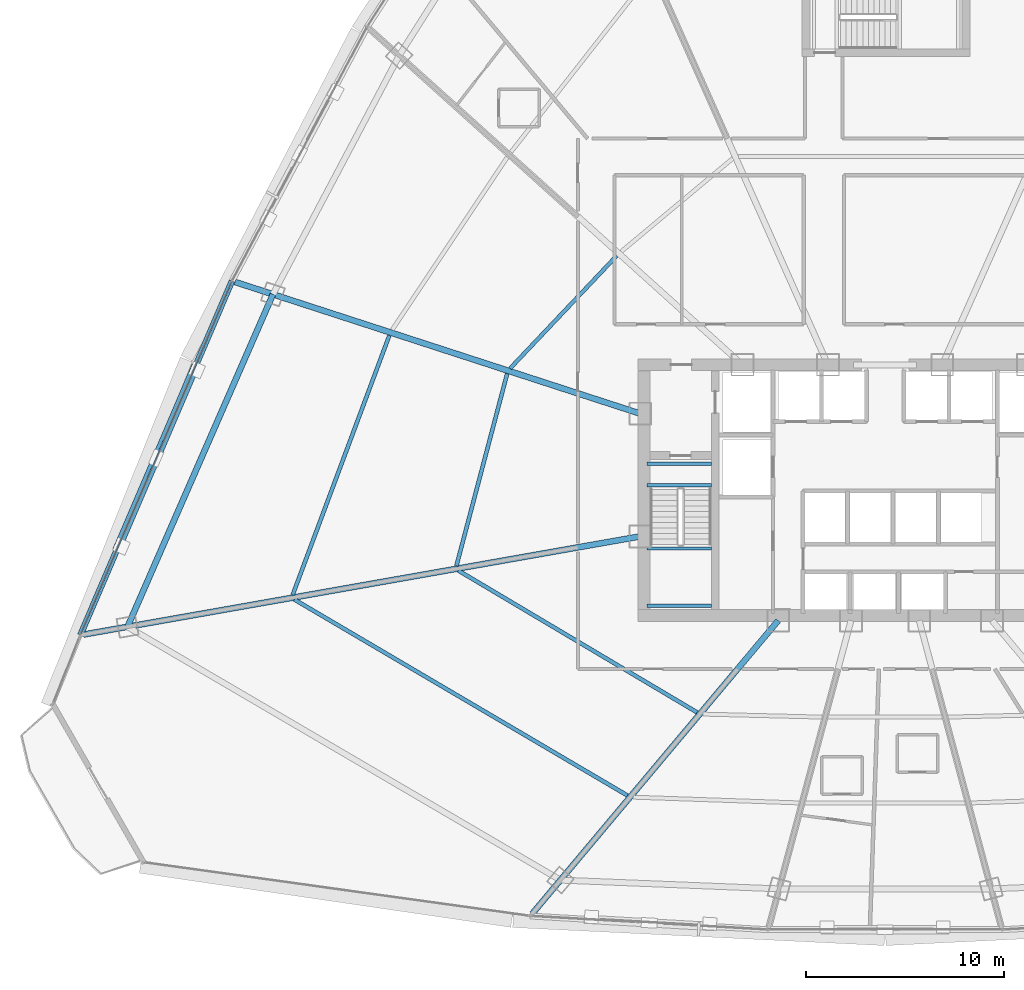
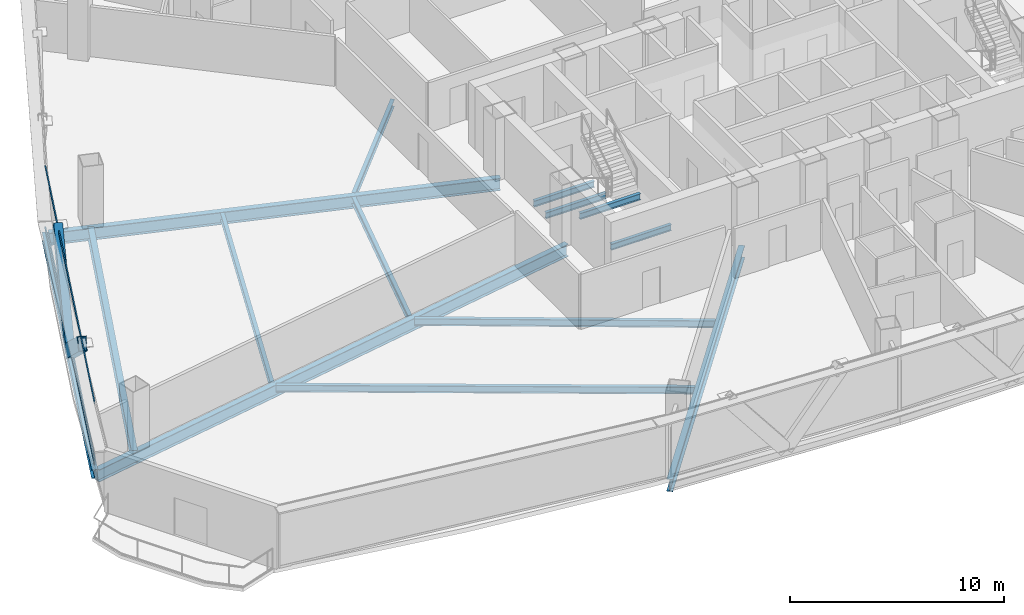
# One storey, part 7 of 37: 14 beams, 4 members, 1 element without a shape of its own.
"""IFC4 building model written with IfcOpenShell, lengths in metres."""

from ifc_helpers import new_model, si_unit, direction, frame, origin, origin_2d, place, context, subcontext, project, spatial, hollow_rectangle, i_section, extrude, source, transform, mapped, material, layer, layer_set, material_profile, profile_set, type_object, element, aggregate, save


model = new_model("IFC4")

# Units and contexts
model_context = context("Model", 3, precision=1e-05, world=origin(), true_north=direction((0.0, 1.0)))
body_context = subcontext(model_context, "Body", "Model", "MODEL_VIEW")
ifc_project = project(units=[si_unit("LENGTHUNIT", "METRE"), si_unit("AREAUNIT", "SQUARE_METRE"), si_unit("VOLUMEUNIT", "CUBIC_METRE"), si_unit("PLANEANGLEUNIT", "RADIAN"), si_unit("MASSUNIT", "GRAM", prefix="KILO"), si_unit("THERMODYNAMICTEMPERATUREUNIT", "KELVIN"), si_unit("POWERUNIT", "WATT")], contexts=[model_context])

# Site, building, storey
site_placement = place(None, origin())
site = spatial("IfcSite", under=ifc_project, at=site_placement, CompositionType="ELEMENT")
building_placement = place(site_placement, origin())
building = spatial("IfcBuilding", under=site, at=building_placement, Name="Yunzhuo Pagoda Commons", CompositionType="ELEMENT")
storey_placement = place(building_placement, frame((0.0, 0.0, 88.780029296875)))
storey = spatial("IfcBuildingStorey", under=building, at=storey_placement, Name="L22", CompositionType="ELEMENT", Elevation=88.780029296875)

# Beams
ifc_material_1 = material(Name="Structural steel Q355B", Category="steel")
ifc_material_profile_1 = material_profile(ifc_material_1, i_section(OverallWidth=0.175048828125, OverallDepth=0.35009765625, WebThickness=0.007080078125, FlangeThickness=0.010986328125, at=origin_2d()), Name="Structural steel Q355B")
ifc_profile_set_1 = profile_set([ifc_material_profile_1], Name="Structural steel Q355B")
beam_type_1 = type_object("IfcBeamType", Name="B-JS2 Joist HN 350x175x7x11", PredefinedType="JOIST", material=ifc_profile_set_1)
shared_shape_1 = source(origin(), body_context, "Body", "SweptSolid", [
    extrude(i_section(OverallWidth=0.175048828125, OverallDepth=0.35009765625, WebThickness=0.007080078125, FlangeThickness=0.010986328125, at=origin_2d()), origin(), (0.0, 0.0, 1.0), 3.25),
])
for number, where, z_axis, x_axis, name in (
    (1, (35.949951171875, 28.0, 1.52490234375), (1.0, 0.0, 0.0), (0.0, 1.0, 0.0), "L22 ST1 landing support beam 28A"),
    (2, (35.949951171875, 30.89990234375, 1.52490234375), (1.0, 0.0, 0.0), (0.0, 1.0, 0.0), "L22 ST1 landing support beam 28B"),
    (3, (35.949951171875, 34.10009765625, -0.375), (1.0, 0.0, 0.0), (0.0, 1.0, 0.0), "L22 ST1 landing support beam 126A"),
    (4, (35.949951171875, 35.199951171875, -0.375), (1.0, 0.0, 0.0), (0.0, 1.0, 0.0), "L22 ST1 landing support beam 126B"),
):
    element("IfcBeam", number, at=place(storey_placement, frame(where, z_axis=z_axis, x_axis=x_axis)), inside=storey, type_object=beam_type_1, Name=name, PredefinedType="JOIST", context=body_context, shape_type="MappedRepresentation", body=[
        mapped(shared_shape_1, transform((0.0, 0.0, 0.0), scale=1.0)),
    ])
ifc_material_profile_2 = material_profile(ifc_material_1, i_section(OverallWidth=0.300048828125, OverallDepth=0.488037109375, WebThickness=0.010986328125, FlangeThickness=0.01806640625, at=origin_2d()), Name="Structural steel Q355B")
ifc_profile_set_2 = profile_set([ifc_material_profile_2], Name="Structural steel Q355B")
beam_type_2 = type_object("IfcBeamType", Name="B-SP1 Beam HM 488x300x11x18", PredefinedType="BEAM", material=ifc_profile_set_2)
shared_shape_2 = source(origin(), body_context, "Body", "SweptSolid", [
    extrude(i_section(OverallWidth=0.300048828125, OverallDepth=0.488037109375, WebThickness=0.010986328125, FlangeThickness=0.01806640625, at=origin_2d()), origin(), (0.0, 0.0, 1.0), 19.5029296875),
])
beam_1_placement = place(storey_placement, frame((14.93505859375, 44.44384765625, -0.504150390625), z_axis=(-0.393683598901, -0.919246008398, 0.0), x_axis=(0.919246008398, -0.393683598901, 0.0)))
element("IfcBeam", 5, at=beam_1_placement, inside=storey, type_object=beam_type_2, Name="L22 facade edge spandrel beam F3.3", PredefinedType="BEAM", context=body_context, shape_type="MappedRepresentation", body=[
    mapped(shared_shape_2, transform((0.0, 0.0, 0.0), scale=1.0)),
])
ifc_material_profile_3 = material_profile(ifc_material_1, i_section(OverallWidth=0.300048828125, OverallDepth=0.699951171875, WebThickness=0.012939453125, FlangeThickness=0.02392578125, at=origin_2d()), Name="Structural steel Q355B")
ifc_profile_set_3 = profile_set([ifc_material_profile_3], Name="Structural steel Q355B")
beam_type_3 = type_object("IfcBeamType", Name="B-RG1 Beam HN 700x300x13x24", PredefinedType="BEAM", material=ifc_profile_set_3)
shared_shape_3 = source(origin(), body_context, "Body", "SweptSolid", [
    extrude(i_section(OverallWidth=0.300048828125, OverallDepth=0.699951171875, WebThickness=0.012939453125, FlangeThickness=0.02392578125, at=origin_2d()), origin(), (0.0, 0.0, 1.0), 18.37158203125),
])
beam_2_placement = place(storey_placement, frame((17.00927734375, 43.76953125, -0.610107421875), z_axis=(-0.400729599795, -0.916196369698, 0.0), x_axis=(0.916196369698, -0.400729599795, 0.0)))
element("IfcBeam", 6, at=beam_2_placement, inside=storey, type_object=beam_type_3, Name="L22 column-ring beam 11", PredefinedType="BEAM", context=body_context, shape_type="MappedRepresentation", body=[
    mapped(shared_shape_3, transform((0.0, 0.0, 0.0), scale=1.0)),
])
shared_shape_4 = source(origin(), body_context, "Body", "SweptSolid", [
    extrude(i_section(OverallWidth=0.300048828125, OverallDepth=0.699951171875, WebThickness=0.012939453125, FlangeThickness=0.02392578125, at=origin_2d()), origin(), (0.0, 0.0, 1.0), 19.369140625),
])
beam_3_placement = place(storey_placement, frame((30.137451171875, 12.41259765625, -0.610107421875), z_axis=(0.642799141194, 0.766034766887, 0.0), x_axis=(-0.766034766887, 0.642799141194, 0.0)))
element("IfcBeam", 7, at=beam_3_placement, inside=storey, type_object=beam_type_3, Name="L22 radial floor girder F1C1", PredefinedType="BEAM", context=body_context, shape_type="MappedRepresentation", body=[
    mapped(shared_shape_4, transform((0.0, 0.0, 0.0), scale=1.0)),
])
shared_shape_5 = source(origin(), body_context, "Body", "SweptSolid", [
    extrude(i_section(OverallWidth=0.300048828125, OverallDepth=0.699951171875, WebThickness=0.012939453125, FlangeThickness=0.02392578125, at=origin_2d()), origin(), (0.0, 0.0, 1.0), 28.625),
])
beam_4_placement = place(storey_placement, frame((7.409912109375, 26.54296875, -0.610107421875), z_axis=(0.984809134913, 0.173640340337, 0.0), x_axis=(-0.173640340337, 0.984809134913, 0.0)))
element("IfcBeam", 8, at=beam_4_placement, inside=storey, type_object=beam_type_3, Name="L22 radial floor girder F3C4", PredefinedType="BEAM", context=body_context, shape_type="MappedRepresentation", body=[
    mapped(shared_shape_5, transform((0.0, 0.0, 0.0), scale=1.0)),
])
shared_shape_6 = source(origin(), body_context, "Body", "SweptSolid", [
    extrude(i_section(OverallWidth=0.300048828125, OverallDepth=0.699951171875, WebThickness=0.012939453125, FlangeThickness=0.02392578125, at=origin_2d()), origin(), (0.0, 0.0, 1.0), 21.57373046875),
])
beam_5_placement = place(storey_placement, frame((15.082275390625, 44.3955078125, -0.610107421875), z_axis=(0.951058432611, -0.309011096499, 0.0), x_axis=(0.309011096499, 0.951058432611, 0.0)))
element("IfcBeam", 9, at=beam_5_placement, inside=storey, type_object=beam_type_3, Name="L22 radial floor girder F3C3", PredefinedType="BEAM", context=body_context, shape_type="MappedRepresentation", body=[
    mapped(shared_shape_6, transform((0.0, 0.0, 0.0), scale=1.0)),
])
ifc_material_profile_4 = material_profile(ifc_material_1, i_section(OverallWidth=0.199951171875, OverallDepth=0.39990234375, WebThickness=0.008056640625, FlangeThickness=0.012939453125, at=origin_2d()), Name="Structural steel Q355B")
ifc_profile_set_4 = profile_set([ifc_material_profile_4], Name="Structural steel Q355B")
beam_type_4 = type_object("IfcBeamType", Name="B-JS1 Joist HN 400x200x8x13", PredefinedType="JOIST", material=ifc_profile_set_4)
shared_shape_7 = source(origin(), body_context, "Body", "SweptSolid", [
    extrude(i_section(OverallWidth=0.199951171875, OverallDepth=0.39990234375, WebThickness=0.008056640625, FlangeThickness=0.012939453125, at=origin_2d()), origin(), (0.0, 0.0, 1.0), 14.061767578125),
])
beam_6_placement = place(storey_placement, frame((26.393798828125, 29.784912109375, -0.4599609375), z_axis=(0.859683443923, -0.510827149088, 0.0), x_axis=(0.510827149088, 0.859683443923, 0.0)))
element("IfcBeam", 10, at=beam_6_placement, inside=storey, type_object=beam_type_4, Name="L22 composite ring joist 1.12", PredefinedType="JOIST", context=body_context, shape_type="MappedRepresentation", body=[
    mapped(shared_shape_7, transform((0.0, 0.0, 0.0), scale=1.0)),
])
shared_shape_8 = source(origin(), body_context, "Body", "SweptSolid", [
    extrude(i_section(OverallWidth=0.199951171875, OverallDepth=0.39990234375, WebThickness=0.008056640625, FlangeThickness=0.012939453125, at=origin_2d()), origin(), (0.0, 0.0, 1.0), 19.568603515625),
])
beam_7_placement = place(storey_placement, frame((18.089111328125, 28.321044921875, -0.4599609375), z_axis=(0.861862685393, -0.50714170754, 0.0), x_axis=(0.50714170754, 0.861862685393, 0.0)))
element("IfcBeam", 11, at=beam_7_placement, inside=storey, type_object=beam_type_4, Name="L22 composite ring joist 2.12", PredefinedType="JOIST", context=body_context, shape_type="MappedRepresentation", body=[
    mapped(shared_shape_8, transform((0.0, 0.0, 0.0), scale=1.0)),
])
shared_shape_9 = source(origin(), body_context, "Body", "SweptSolid", [
    extrude(i_section(OverallWidth=0.199951171875, OverallDepth=0.39990234375, WebThickness=0.008056640625, FlangeThickness=0.012939453125, at=origin_2d()), origin(), (0.0, 0.0, 1.0), 10.0634765625),
])
beam_8_placement = place(storey_placement, frame((28.86669921875, 39.749755859375, -0.4599609375), z_axis=(-0.255289713136, -0.966864603948, 0.0), x_axis=(0.966864603948, -0.255289713136, 0.0)))
element("IfcBeam", 12, at=beam_8_placement, inside=storey, type_object=beam_type_4, Name="L22 composite ring joist 1.11", PredefinedType="JOIST", context=body_context, shape_type="MappedRepresentation", body=[
    mapped(shared_shape_9, transform((0.0, 0.0, 0.0), scale=1.0)),
])
shared_shape_10 = source(origin(), body_context, "Body", "SweptSolid", [
    extrude(i_section(OverallWidth=0.199951171875, OverallDepth=0.39990234375, WebThickness=0.008056640625, FlangeThickness=0.012939453125, at=origin_2d()), origin(), (0.0, 0.0, 1.0), 7.85009765625),
])
beam_9_placement = place(storey_placement, frame((34.41357421875, 45.719482421875, -0.4599609375), z_axis=(-0.687513423145, -0.726171669095, 0.0), x_axis=(0.726171669095, -0.687513423145, 0.0)))
element("IfcBeam", 13, at=beam_9_placement, inside=storey, type_object=beam_type_4, Name="L22 composite ring joist 1.10", PredefinedType="JOIST", context=body_context, shape_type="MappedRepresentation", body=[
    mapped(shared_shape_10, transform((0.0, 0.0, 0.0), scale=1.0)),
])
shared_shape_11 = source(origin(), body_context, "Body", "SweptSolid", [
    extrude(i_section(OverallWidth=0.199951171875, OverallDepth=0.39990234375, WebThickness=0.008056640625, FlangeThickness=0.012939453125, at=origin_2d()), origin(), (0.0, 0.0, 1.0), 14.018798828125),
])
beam_10_placement = place(storey_placement, frame((22.902587890625, 41.6875, -0.4599609375), z_axis=(-0.349137809065, -0.937071390173, 0.0), x_axis=(0.937071390173, -0.349137809065, 0.0)))
element("IfcBeam", 14, at=beam_10_placement, inside=storey, type_object=beam_type_4, Name="L22 composite ring joist 2.11", PredefinedType="JOIST", context=body_context, shape_type="MappedRepresentation", body=[
    mapped(shared_shape_11, transform((0.0, 0.0, 0.0), scale=1.0)),
])

# Members
ifc_material_2 = material(Name="Structural steel Q420B", Category="steel")
ifc_material_profile_5 = material_profile(ifc_material_2, hollow_rectangle(XDim=0.419921875, YDim=0.719970703125, WallThickness=0.028076171875, at=origin_2d()), Name="Structural steel Q420B")
ifc_profile_set_5 = profile_set([ifc_material_profile_5], Name="Structural steel Q420B")
member_type_1 = type_object("IfcMemberType", Name="M-DL1 Brace BOX 720x420x28", PredefinedType="BRACE", material=ifc_profile_set_5)
shared_shape_12 = source(origin(), body_context, "Body", "SweptSolid", [
    extrude(hollow_rectangle(XDim=0.419921875, YDim=0.719970703125, WallThickness=0.028076171875, at=origin_2d()), origin(), (0.0, 0.0, 1.0), 6.181396484375),
])
for number, where, z_axis, x_axis, name in (
    (15, (11.095947265625, 35.479736328125, -0.259765625), (0.31051451298, 0.7250604718, 0.614709727808), (-0.919248598495, 0.393677551006, 0.0), "L22 facade diamond brace F3.3L"),
    (16, (11.095947265625, 35.479736328125, -0.259765625), (-0.31051451298, -0.7250604718, 0.614709727808), (0.919248598495, -0.393677551006, 0.0), "L22 facade diamond brace F3.3R"),
):
    element("IfcMember", number, at=place(storey_placement, frame(where, z_axis=z_axis, x_axis=x_axis)), inside=storey, type_object=member_type_1, Name=name, PredefinedType="BRACE", context=body_context, shape_type="MappedRepresentation", body=[
        mapped(shared_shape_12, transform((0.0, 0.0, 0.0), scale=1.0)),
    ])

# Curtain wall, members
ifc_material_3 = material(Name="Anodized aluminium 6063-T6", Category="aluminium")
ifc_layer = layer(ifc_material_3, 0.1650390625)
ifc_layer_set = layer_set([ifc_layer], Name="Anodized aluminium 6063-T6")
curtain_wall_type = type_object("IfcCurtainWallType", Name="CW-LOW Low-Zone Ribbon Curtain Wall", PredefinedType="NOTDEFINED", material=ifc_layer_set)
curtain_wall_placement = place(storey_placement, origin())
curtain_wall = element("IfcCurtainWall", 17, at=curtain_wall_placement, inside=storey, type_object=curtain_wall_type, Name="L22 curtain wall CW-L22-F3B4", PredefinedType="NOTDEFINED")
ifc_material_profile_6 = material_profile(ifc_material_3, hollow_rectangle(XDim=0.06005859375, YDim=0.139892578125, WallThickness=0.00341796875, at=origin_2d()), Name="Anodized aluminium 6063-T6")
ifc_profile_set_6 = profile_set([ifc_material_profile_6], Name="Anodized aluminium 6063-T6")
member_type_2 = type_object("IfcMemberType", Name="CW-LOW-T Transom RHS 140x60x3.5", PredefinedType="USERDEFINED", material=ifc_profile_set_6)
shared_shape_13 = source(origin(), body_context, "Body", "SweptSolid", [
    extrude(hollow_rectangle(XDim=0.06005859375, YDim=0.139892578125, WallThickness=0.00341796875, at=origin_2d()), origin(), (0.0, 0.0, 1.0), 19.37255859375),
])
member_1_placement = place(storey_placement, frame((14.9091796875, 44.3837890625, 0.030029296875), z_axis=(-0.39367592675, -0.919249294097, 0.0), x_axis=(0.919249294097, -0.39367592675, 0.0)))
member_1 = element("IfcMember", 18, at=member_1_placement, type_object=member_type_2, Name="CW transom 1.1", ObjectType="TRANSOM", PredefinedType="USERDEFINED", context=body_context, shape_type="MappedRepresentation", body=[
    mapped(shared_shape_13, transform((0.0, 0.0, 0.0), scale=1.0)),
])
member_2_placement = place(storey_placement, frame((14.9091796875, 44.3837890625, 3.510009765625), z_axis=(-0.39367592675, -0.919249294097, 0.0), x_axis=(0.919249294097, -0.39367592675, 0.0)))
member_2 = element("IfcMember", 19, at=member_2_placement, type_object=member_type_2, Name="CW transom 1.2", ObjectType="TRANSOM", PredefinedType="USERDEFINED", context=body_context, shape_type="MappedRepresentation", body=[
    mapped(shared_shape_13, transform((0.0, 0.0, 0.0), scale=1.0)),
])
aggregate(curtain_wall, [member_1, member_2])

save(model, "model.ifc")
